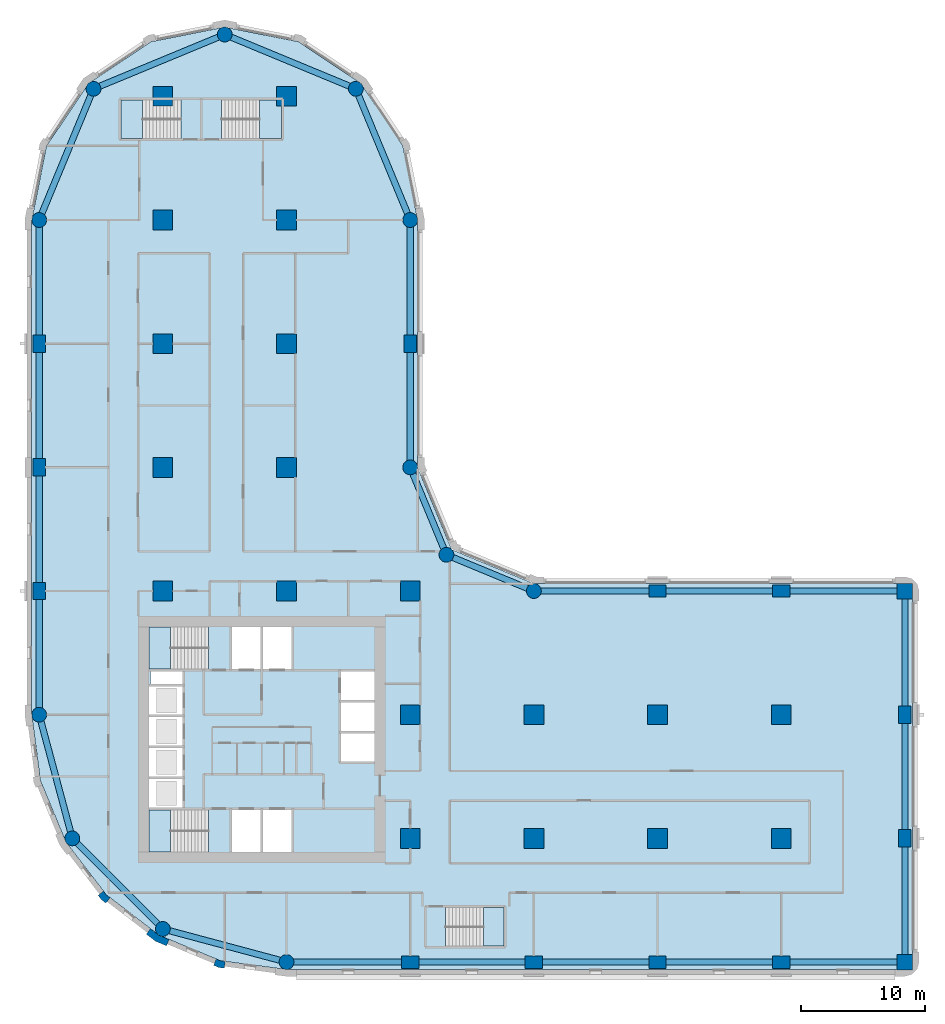
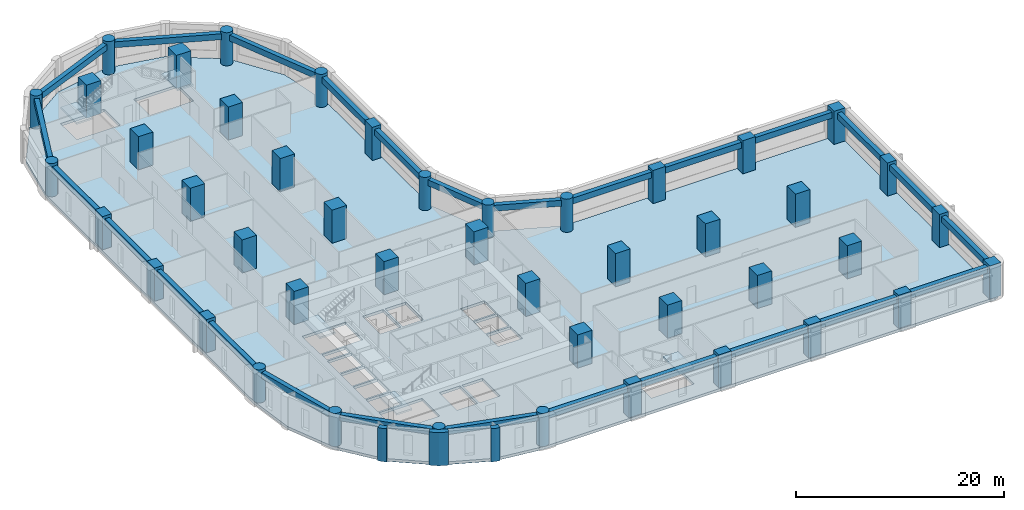
# One storey, part 1 of 10: 45 columns, 26 beams, 6 slabs, 3 walls, 5 elements without a shape of their own.
"""IFC4 building model written with IfcOpenShell, lengths in metres."""

from ifc_helpers import new_model, si_unit, direction, frame, origin, origin_2d, place, context, subcontext, project, spatial, polyline, rectangle, circle, outline, extrude, material, layer, layer_set, material_profile, profile_set, type_object, element, aggregate, save


model = new_model("IFC4")

# Units and contexts
model_context = context("Model", 3, precision=1e-05, world=origin(), true_north=direction((0.0, 1.0)))
body_context = subcontext(model_context, "Body", "Model", "MODEL_VIEW")
ifc_project = project(units=[si_unit("LENGTHUNIT", "METRE"), si_unit("AREAUNIT", "SQUARE_METRE"), si_unit("VOLUMEUNIT", "CUBIC_METRE"), si_unit("PLANEANGLEUNIT", "RADIAN"), si_unit("MASSUNIT", "GRAM", prefix="KILO")], contexts=[model_context])

# Site, building, storey
site_placement = place(None, origin())
site = spatial("IfcSite", under=ifc_project, at=site_placement, CompositionType="ELEMENT")
building_placement = place(site_placement, origin())
building = spatial("IfcBuilding", under=site, at=building_placement, Name="Qaws Garden Tower", CompositionType="ELEMENT")
storey_placement = place(building_placement, frame((0.0, 0.0, 93.89990234375)))
storey = spatial("IfcBuildingStorey", under=building, at=storey_placement, Name="L23", CompositionType="ELEMENT", Elevation=93.89990234375)

# Columns
ifc_material_1 = material(Name="Concrete C80", Category="concrete")
ifc_material_profile_1 = material_profile(ifc_material_1, rectangle(XDim=1.25, YDim=1.25, at=origin_2d()), Name="RC 1250x1250")
ifc_profile_set_1 = profile_set([ifc_material_profile_1], Name="Concrete C80")
column_type_1 = type_object("IfcColumnType", Name="Column RC 1250x1250 C80", PredefinedType="COLUMN", material=ifc_profile_set_1)
for number, where, z_axis, x_axis, name in (
    (1, (70.0, 0.0, 0.0), (0.0, 0.0, 1.0), (1.0, 0.0, 0.0), "Column L23-006"),
    (2, (70.0, 30.0, 0.0), (0.0, 0.0, 1.0), (1.0, 0.0, 0.0), "Column L23-009"),
):
    element("IfcColumn", number, at=place(storey_placement, frame(where, z_axis=z_axis, x_axis=x_axis)), inside=storey, type_object=column_type_1, Name=name, PredefinedType="COLUMN", context=body_context, shape_type="SweptSolid", body=[
        extrude(rectangle(XDim=1.25, YDim=1.25, at=origin_2d()), origin(), (0.0, 0.0, 1.0), 3.900146484375),
    ])
ifc_material_2 = material(Name="Concrete C80", Category="concrete")
ifc_material_profile_2 = material_profile(ifc_material_2, rectangle(XDim=1.39990234375, YDim=1.0, at=origin_2d()), Name="RC 1400x1000")
ifc_profile_set_2 = profile_set([ifc_material_profile_2], Name="Concrete C80")
column_type_2 = type_object("IfcColumnType", Name="Column RC 1400x1000 C80", PredefinedType="COLUMN", material=ifc_profile_set_2)
for number, where, z_axis, x_axis, name in (
    (3, (30.0, 0.0, 0.0), (0.0, 0.0, 1.0), (1.0, 0.0, 0.0), "Column L23-002"),
    (4, (40.0, 0.0, 0.0), (0.0, 0.0, 1.0), (1.0, 0.0, 0.0), "Column L23-003"),
    (5, (50.0, 0.0, 0.0), (0.0, 0.0, 1.0), (1.0, 0.0, 0.0), "Column L23-004"),
    (6, (60.0, 0.0, 0.0), (0.0, 0.0, 1.0), (1.0, 0.0, 0.0), "Column L23-005"),
    (7, (70.0, 10.0, 0.0), (0.0, 0.0, 1.0), (0.0, 1.0, 0.0), "Column L23-007"),
    (8, (70.0, 20.0, 0.0), (0.0, 0.0, 1.0), (0.0, 1.0, 0.0), "Column L23-008"),
    (9, (60.0, 30.0, 0.0), (0.0, 0.0, 1.0), (1.0, 0.0, 0.0), "Column L23-010"),
    (10, (50.0, 30.0, 0.0), (0.0, 0.0, 1.0), (1.0, 0.0, 0.0), "Column L23-011"),
    (11, (30.0, 50.0, 0.0), (0.0, 0.0, 1.0), (0.0, 1.0, 0.0), "Column L23-015"),
    (12, (0.0, 50.0, 0.0), (0.0, 0.0, 1.0), (0.0, 1.0, 0.0), "Column L23-021"),
    (13, (0.0, 40.0, 0.0), (0.0, 0.0, 1.0), (0.0, 1.0, 0.0), "Column L23-022"),
    (14, (0.0, 30.0, 0.0), (0.0, 0.0, 1.0), (0.0, 1.0, 0.0), "Column L23-023"),
):
    element("IfcColumn", number, at=place(storey_placement, frame(where, z_axis=z_axis, x_axis=x_axis)), inside=storey, type_object=column_type_2, Name=name, PredefinedType="COLUMN", context=body_context, shape_type="SweptSolid", body=[
        extrude(rectangle(XDim=1.39990234375, YDim=1.0, at=origin_2d()), origin(), (0.0, 0.0, 1.0), 3.900146484375),
    ])
ifc_material_3 = material(Name="Concrete C80", Category="concrete")
ifc_material_profile_3 = material_profile(ifc_material_3, rectangle(XDim=1.60009765625, YDim=1.60009765625, at=origin_2d()), Name="RC 1600x1600")
ifc_profile_set_3 = profile_set([ifc_material_profile_3], Name="Concrete C80")
column_type_3 = type_object("IfcColumnType", Name="Column RC 1600x1600 C80", PredefinedType="COLUMN", material=ifc_profile_set_3)
for number, where, z_axis, x_axis, name in (
    (15, (10.0, 30.0, 0.0), (0.0, 0.0, 1.0), (1.0, 0.0, 0.0), "Column L23-027"),
    (16, (10.0, 40.0, 0.0), (0.0, 0.0, 1.0), (1.0, 0.0, 0.0), "Column L23-028"),
    (17, (10.0, 50.0, 0.0), (0.0, 0.0, 1.0), (1.0, 0.0, 0.0), "Column L23-029"),
    (18, (10.0, 60.0, 0.0), (0.0, 0.0, 1.0), (1.0, 0.0, 0.0), "Column L23-030"),
    (19, (10.0, 70.0, 0.0), (0.0, 0.0, 1.0), (1.0, 0.0, 0.0), "Column L23-031"),
    (20, (20.0, 30.0, 0.0), (0.0, 0.0, 1.0), (1.0, 0.0, 0.0), "Column L23-032"),
    (21, (20.0, 40.0, 0.0), (0.0, 0.0, 1.0), (1.0, 0.0, 0.0), "Column L23-033"),
    (22, (20.0, 50.0, 0.0), (0.0, 0.0, 1.0), (1.0, 0.0, 0.0), "Column L23-034"),
    (23, (20.0, 60.0, 0.0), (0.0, 0.0, 1.0), (1.0, 0.0, 0.0), "Column L23-035"),
    (24, (20.0, 70.0, 0.0), (0.0, 0.0, 1.0), (1.0, 0.0, 0.0), "Column L23-036"),
    (25, (30.0, 10.0, 0.0), (0.0, 0.0, 1.0), (1.0, 0.0, 0.0), "Column L23-037"),
    (26, (30.0, 20.0, 0.0), (0.0, 0.0, 1.0), (1.0, 0.0, 0.0), "Column L23-038"),
    (27, (30.0, 30.0, 0.0), (0.0, 0.0, 1.0), (1.0, 0.0, 0.0), "Column L23-039"),
    (28, (40.0, 10.0, 0.0), (0.0, 0.0, 1.0), (1.0, 0.0, 0.0), "Column L23-040"),
    (29, (40.0, 20.0, 0.0), (0.0, 0.0, 1.0), (1.0, 0.0, 0.0), "Column L23-041"),
    (30, (50.0, 10.0, 0.0), (0.0, 0.0, 1.0), (1.0, 0.0, 0.0), "Column L23-042"),
    (31, (50.0, 20.0, 0.0), (0.0, 0.0, 1.0), (1.0, 0.0, 0.0), "Column L23-043"),
    (32, (60.0, 10.0, 0.0), (0.0, 0.0, 1.0), (1.0, 0.0, 0.0), "Column L23-044"),
    (33, (60.0, 20.0, 0.0), (0.0, 0.0, 1.0), (1.0, 0.0, 0.0), "Column L23-045"),
):
    element("IfcColumn", number, at=place(storey_placement, frame(where, z_axis=z_axis, x_axis=x_axis)), inside=storey, type_object=column_type_3, Name=name, PredefinedType="COLUMN", context=body_context, shape_type="SweptSolid", body=[
        extrude(rectangle(XDim=1.60009765625, YDim=1.60009765625, at=origin_2d()), origin(), (0.0, 0.0, 1.0), 3.900146484375),
    ])
ifc_material_4 = material(Name="Concrete C80", Category="concrete")
ifc_material_profile_4 = material_profile(ifc_material_4, circle(Radius=0.60009765625, at=origin_2d()), Name="RC D1200")
ifc_profile_set_4 = profile_set([ifc_material_profile_4], Name="Concrete C80")
column_type_4 = type_object("IfcColumnType", Name="Column RC D1200 C80", PredefinedType="COLUMN", material=ifc_profile_set_4)
for number, where, z_axis, x_axis, name in (
    (34, (20.0, 0.0, 0.0), (0.0, 0.0, 1.0), (1.0, 0.0, 0.0), "Column L23-001"),
    (35, (40.0, 30.0, 0.0), (0.0, 0.0, 1.0), (1.0, 0.0, 0.0), "Column L23-012"),
    (36, (32.928955078125, 32.928955078125, 0.0), (0.0, 0.0, 1.0), (1.0, 0.0, 0.0), "Column L23-013"),
    (37, (30.0, 40.0, 0.0), (0.0, 0.0, 1.0), (1.0, 0.0, 0.0), "Column L23-014"),
    (38, (30.0, 60.0, 0.0), (0.0, 0.0, 1.0), (1.0, 0.0, 0.0), "Column L23-016"),
    (39, (25.606689453125, 70.606689453125, 0.0), (0.0, 0.0, 1.0), (1.0, 0.0, 0.0), "Column L23-017"),
    (40, (15.0, 75.0, 0.0), (0.0, 0.0, 1.0), (1.0, 0.0, 0.0), "Column L23-018"),
    (41, (4.393310546875, 70.606689453125, 0.0), (0.0, 0.0, 1.0), (1.0, 0.0, 0.0), "Column L23-019"),
    (42, (0.0, 60.0, 0.0), (0.0, 0.0, 1.0), (1.0, 0.0, 0.0), "Column L23-020"),
    (43, (0.0, 20.0, 0.0), (0.0, 0.0, 1.0), (1.0, 0.0, 0.0), "Column L23-024"),
    (44, (2.679443359375, 10.0, 0.0), (0.0, 0.0, 1.0), (1.0, 0.0, 0.0), "Column L23-025"),
    (45, (10.0, 2.679443359375, 0.0), (0.0, 0.0, 1.0), (1.0, 0.0, 0.0), "Column L23-026"),
):
    element("IfcColumn", number, at=place(storey_placement, frame(where, z_axis=z_axis, x_axis=x_axis)), inside=storey, type_object=column_type_4, Name=name, PredefinedType="COLUMN", context=body_context, shape_type="SweptSolid", body=[
        extrude(circle(Radius=0.60009765625, at=origin_2d()), origin(), (0.0, 0.0, 1.0), 3.900146484375),
    ])

# Beams
ifc_material_5 = material(Name="Concrete C45", Category="concrete")
ifc_material_profile_5 = material_profile(ifc_material_5, rectangle(XDim=0.5, YDim=0.699951171875, at=origin_2d()), Name="RC 500x700")
ifc_profile_set_5 = profile_set([ifc_material_profile_5], Name="Concrete C45")
beam_type = type_object("IfcBeamType", Name="Spandrel beam RC 500x700 C45", PredefinedType="SPANDREL", material=ifc_profile_set_5)
for number, where, z_axis, x_axis, name in (
    (46, (20.0, 0.0, 3.22998046875), (1.0, 0.0, 0.0), (0.0, 1.0, 0.0), "Spandrel beam L23-001"),
    (47, (30.0, 0.0, 3.22998046875), (1.0, 0.0, 0.0), (0.0, 1.0, 0.0), "Spandrel beam L23-002"),
    (48, (40.0, 0.0, 3.22998046875), (1.0, 0.0, 0.0), (0.0, 1.0, 0.0), "Spandrel beam L23-003"),
    (49, (50.0, 0.0, 3.22998046875), (1.0, 0.0, 0.0), (0.0, 1.0, 0.0), "Spandrel beam L23-004"),
    (50, (60.0, 0.0, 3.22998046875), (1.0, 0.0, 0.0), (0.0, 1.0, 0.0), "Spandrel beam L23-005"),
    (51, (70.0, 0.0, 3.22998046875), (0.0, 1.0, 0.0), (-1.0, 0.0, 0.0), "Spandrel beam L23-006"),
    (52, (70.0, 10.0, 3.22998046875), (0.0, 1.0, 0.0), (-1.0, 0.0, 0.0), "Spandrel beam L23-007"),
    (53, (70.0, 20.0, 3.22998046875), (0.0, 1.0, 0.0), (-1.0, 0.0, 0.0), "Spandrel beam L23-008"),
    (54, (70.0, 30.0, 3.22998046875), (-1.0, 0.0, 0.0), (0.0, -1.0, 0.0), "Spandrel beam L23-009"),
    (55, (60.0, 30.0, 3.22998046875), (-1.0, 0.0, 0.0), (0.0, -1.0, 0.0), "Spandrel beam L23-010"),
    (56, (50.0, 30.0, 3.22998046875), (-1.0, 0.0, 0.0), (0.0, -1.0, 0.0), "Spandrel beam L23-011"),
):
    element("IfcBeam", number, at=place(storey_placement, frame(where, z_axis=z_axis, x_axis=x_axis)), inside=storey, type_object=beam_type, Name=name, PredefinedType="SPANDREL", context=body_context, shape_type="SweptSolid", body=[
        extrude(rectangle(XDim=0.5, YDim=0.699951171875, at=origin_2d()), origin(), (0.0, 0.0, 1.0), 10.0),
    ])
for number, where, z_axis, x_axis, name in (
    (57, (40.0, 30.0, 3.22998046875), (-0.923878037141, 0.382687042488, 0.0), (-0.382687042488, -0.923878037141, 0.0), "Spandrel beam L23-012"),
    (58, (32.928955078125, 32.928955078125, 3.22998046875), (-0.382687042488, 0.923878037141, 0.0), (-0.923878037141, -0.382687042488, 0.0), "Spandrel beam L23-013"),
):
    element("IfcBeam", number, at=place(storey_placement, frame(where, z_axis=z_axis, x_axis=x_axis)), inside=storey, type_object=beam_type, Name=name, PredefinedType="SPANDREL", context=body_context, shape_type="SweptSolid", body=[
        extrude(rectangle(XDim=0.5, YDim=0.699951171875, at=origin_2d()), origin(), (0.0, 0.0, 1.0), 7.653564453125),
    ])
for number, where, z_axis, x_axis, name in (
    (59, (30.0, 40.0, 3.22998046875), (0.0, 1.0, 0.0), (-1.0, 0.0, 0.0), "Spandrel beam L23-014"),
    (60, (30.0, 50.0, 3.22998046875), (0.0, 1.0, 0.0), (-1.0, 0.0, 0.0), "Spandrel beam L23-015"),
):
    element("IfcBeam", number, at=place(storey_placement, frame(where, z_axis=z_axis, x_axis=x_axis)), inside=storey, type_object=beam_type, Name=name, PredefinedType="SPANDREL", context=body_context, shape_type="SweptSolid", body=[
        extrude(rectangle(XDim=0.5, YDim=0.699951171875, at=origin_2d()), origin(), (0.0, 0.0, 1.0), 10.0),
    ])
for number, where, z_axis, x_axis, name in (
    (61, (30.0, 60.0, 3.22998046875), (-0.382674207535, 0.923883353507, 0.0), (-0.923883353507, -0.382674207535, 0.0), "Spandrel beam L23-016"),
    (62, (25.606689453125, 70.606689453125, 3.22998046875), (-0.923883353507, 0.382674207535, 0.0), (-0.382674207535, -0.923883353507, 0.0), "Spandrel beam L23-017"),
    (63, (15.0, 75.0, 3.22998046875), (-0.923883353507, -0.382674207535, 0.0), (0.382674207535, -0.923883353507, 0.0), "Spandrel beam L23-018"),
    (64, (4.393310546875, 70.606689453125, 3.22998046875), (-0.382674207535, -0.923883353507, 0.0), (0.923883353507, -0.382674207535, 0.0), "Spandrel beam L23-019"),
):
    element("IfcBeam", number, at=place(storey_placement, frame(where, z_axis=z_axis, x_axis=x_axis)), inside=storey, type_object=beam_type, Name=name, PredefinedType="SPANDREL", context=body_context, shape_type="SweptSolid", body=[
        extrude(rectangle(XDim=0.5, YDim=0.699951171875, at=origin_2d()), origin(), (0.0, 0.0, 1.0), 11.48046875),
    ])
for number, where, z_axis, x_axis, name in (
    (65, (0.0, 60.0, 3.22998046875), (0.0, -1.0, 0.0), (1.0, 0.0, 0.0), "Spandrel beam L23-020"),
    (66, (0.0, 50.0, 3.22998046875), (0.0, -1.0, 0.0), (1.0, 0.0, 0.0), "Spandrel beam L23-021"),
    (67, (0.0, 40.0, 3.22998046875), (0.0, -1.0, 0.0), (1.0, 0.0, 0.0), "Spandrel beam L23-022"),
    (68, (0.0, 30.0, 3.22998046875), (0.0, -1.0, 0.0), (1.0, 0.0, 0.0), "Spandrel beam L23-023"),
):
    element("IfcBeam", number, at=place(storey_placement, frame(where, z_axis=z_axis, x_axis=x_axis)), inside=storey, type_object=beam_type, Name=name, PredefinedType="SPANDREL", context=body_context, shape_type="SweptSolid", body=[
        extrude(rectangle(XDim=0.5, YDim=0.699951171875, at=origin_2d()), origin(), (0.0, 0.0, 1.0), 10.0),
    ])
for number, where, z_axis, x_axis, name in (
    (69, (0.0, 20.0, 3.22998046875), (0.25881466832, -0.965926999034, 0.0), (0.965926999034, 0.25881466832, 0.0), "Spandrel beam L23-024"),
    (70, (2.679443359375, 10.0, 3.22998046875), (0.707106781187, -0.707106781187, 0.0), (0.707106781187, 0.707106781187, 0.0), "Spandrel beam L23-025"),
    (71, (10.0, 2.679443359375, 3.22998046875), (0.965926999034, -0.25881466832, 0.0), (0.25881466832, 0.965926999034, 0.0), "Spandrel beam L23-026"),
):
    element("IfcBeam", number, at=place(storey_placement, frame(where, z_axis=z_axis, x_axis=x_axis)), inside=storey, type_object=beam_type, Name=name, PredefinedType="SPANDREL", context=body_context, shape_type="SweptSolid", body=[
        extrude(rectangle(XDim=0.5, YDim=0.699951171875, at=origin_2d()), origin(), (0.0, 0.0, 1.0), 10.352783203125),
    ])

# Slab
ifc_material_6 = material(Name="Concrete C40", Category="concrete")
ifc_layer_1 = layer(ifc_material_6, 0.320068359375)
ifc_layer_set_1 = layer_set([ifc_layer_1], Name="Concrete C40")
slab_type_1 = type_object("IfcSlabType", Name="Floor slab 320 C40", PredefinedType="FLOOR", material=ifc_layer_set_1)
slab_1_placement = place(storey_placement, frame((0.0, 0.0, -0.31982421875)))
element("IfcSlab", 72, at=slab_1_placement, inside=storey, type_object=slab_type_1, Name="Floor slab L23", PredefinedType="FLOOR", context=body_context, shape_type="SweptSolid", body=[
    extrude(outline(polyline([(0.101806640625, 14.668212890625), (-0.60009765625, 20.0), (-0.60009765625, 30.60009765625), (-0.60009765625, 60.0), (-0.60009765625, 60.0), (0.58740234375, 65.969970703125), (3.968994140625, 71.031005859375), (9.030029296875, 74.41259765625), (15.0, 75.60009765625), (20.969970703125, 74.41259765625), (26.031005859375, 71.031005859375), (29.41259765625, 65.969970703125), (30.60009765625, 60.0), (30.60009765625, 40.0), (33.353271484375, 33.353271484375), (40.0, 30.60009765625), (70.0, 30.60009765625), (70.42431640625, 30.42431640625), (70.60009765625, 30.0), (70.60009765625, 0.0), (70.42431640625, -0.42431640625), (70.0, -0.60009765625), (30.60009765625, -0.60009765625), (20.0, -0.60009765625), (14.668212890625, 0.101806640625), (9.699951171875, 2.159912109375), (5.43359375, 5.43359375), (2.159912109375, 9.699951171875), (0.101806640625, 14.668212890625)]), holes=[polyline([(13.699462890625, 12.300048828125), (8.89990234375, 12.300048828125), (8.89990234375, 8.89990234375), (13.699462890625, 8.89990234375), (13.699462890625, 12.300048828125)]), polyline([(17.89990234375, 12.300048828125), (15.60009765625, 12.300048828125), (15.60009765625, 8.89990234375), (17.89990234375, 8.89990234375), (17.89990234375, 12.300048828125)]), polyline([(11.60009765625, 14.800048828125), (8.89990234375, 14.800048828125), (8.89990234375, 12.5), (11.60009765625, 12.5), (11.60009765625, 14.800048828125)]), polyline([(11.60009765625, 17.300048828125), (8.89990234375, 17.300048828125), (8.89990234375, 15.0), (11.60009765625, 15.0), (11.60009765625, 17.300048828125)]), polyline([(11.60009765625, 19.800048828125), (8.89990234375, 19.800048828125), (8.89990234375, 17.5), (11.60009765625, 17.5), (11.60009765625, 19.800048828125)]), polyline([(11.60009765625, 22.300048828125), (8.89990234375, 22.300048828125), (8.89990234375, 20.0), (11.60009765625, 20.0), (11.60009765625, 22.300048828125)]), polyline([(11.60009765625, 23.5), (9.0, 23.5), (9.0, 22.5), (11.60009765625, 22.5), (11.60009765625, 23.5)]), polyline([(13.699462890625, 27.10009765625), (8.89990234375, 27.10009765625), (8.89990234375, 23.699951171875), (13.699462890625, 23.699951171875), (13.699462890625, 27.10009765625)]), polyline([(11.449462890625, 69.699951171875), (6.60009765625, 69.699951171875), (6.60009765625, 66.60009765625), (11.449462890625, 66.60009765625), (11.449462890625, 69.699951171875)]), polyline([(37.60009765625, 4.39990234375), (32.8505859375, 4.39990234375), (32.8505859375, 1.300048828125), (37.60009765625, 1.300048828125), (37.60009765625, 4.39990234375)]), polyline([(20.39990234375, 12.300048828125), (18.10009765625, 12.300048828125), (18.10009765625, 8.89990234375), (20.39990234375, 8.89990234375), (20.39990234375, 12.300048828125)]), polyline([(27.10009765625, 18.5), (24.39990234375, 18.5), (24.39990234375, 16.199951171875), (27.10009765625, 16.199951171875), (27.10009765625, 18.5)]), polyline([(27.10009765625, 21.0), (24.39990234375, 21.0), (24.39990234375, 18.699951171875), (27.10009765625, 18.699951171875), (27.10009765625, 21.0)]), polyline([(27.10009765625, 23.5), (24.39990234375, 23.5), (24.39990234375, 21.199951171875), (27.10009765625, 21.199951171875), (27.10009765625, 23.5)]), polyline([(17.89990234375, 27.10009765625), (15.60009765625, 27.10009765625), (15.60009765625, 23.699951171875), (17.89990234375, 23.699951171875), (17.89990234375, 27.10009765625)]), polyline([(20.39990234375, 23.699951171875), (20.39990234375, 27.10009765625), (18.10009765625, 27.10009765625), (18.10009765625, 23.699951171875), (20.39990234375, 23.699951171875)]), polyline([(19.60009765625, 66.60009765625), (19.60009765625, 69.699951171875), (14.75048828125, 69.699951171875), (14.75048828125, 66.60009765625), (19.60009765625, 66.60009765625)])]), origin(), (0.0, 0.0, 1.0), 0.31982421875),
])

# Stair, slab
ifc_material_7 = material(Name="Concrete C40", Category="concrete")
stair_type_1 = type_object("IfcStairType", Name="Exit stair 1500", PredefinedType="HALF_TURN_STAIR", material=ifc_material_7)
placement_1 = place(storey_placement, origin())
stair_1 = element("IfcStair", 73, at=placement_1, inside=storey, type_object=stair_type_1, Name="Stair 1", PredefinedType="HALF_TURN_STAIR")
ifc_material_8 = material(Name="Concrete C40", Category="concrete")
ifc_layer_2 = layer(ifc_material_8, 0.199951171875)
ifc_layer_set_2 = layer_set([ifc_layer_2], Name="Concrete C40")
slab_type_2 = type_object("IfcSlabType", Name="Stair landing 200", PredefinedType="LANDING", material=ifc_layer_set_2)
placement_2 = place(storey_placement, frame((0.0, 0.0, 1.75)))
slab_2 = element("IfcSlab", 74, at=placement_2, type_object=slab_type_2, Name="ST1 landing 1", PredefinedType="LANDING", context=body_context, shape_type="SweptSolid", body=[
    extrude(outline(polyline([(8.89990234375, 8.89990234375), (10.6201171875, 8.89990234375), (10.6201171875, 12.300048828125), (8.89990234375, 12.300048828125), (8.89990234375, 8.89990234375)])), origin(), (0.0, 0.0, 1.0), 0.2001953125),
])
aggregate(stair_1, [slab_2])

stair_2 = element("IfcStair", 75, at=placement_1, inside=storey, type_object=stair_type_1, Name="Stair 4", PredefinedType="HALF_TURN_STAIR")
slab_3 = element("IfcSlab", 76, at=placement_2, type_object=slab_type_2, Name="ST4 landing 1", PredefinedType="LANDING", context=body_context, shape_type="SweptSolid", body=[
    extrude(outline(polyline([(8.89990234375, 23.699951171875), (10.6201171875, 23.699951171875), (10.6201171875, 27.10009765625), (8.89990234375, 27.10009765625), (8.89990234375, 23.699951171875)])), origin(), (0.0, 0.0, 1.0), 0.2001953125),
])
aggregate(stair_2, [slab_3])

ifc_material_9 = material(Name="Concrete C40", Category="concrete")
stair_type_2 = type_object("IfcStairType", Name="Exit stair 1350", PredefinedType="HALF_TURN_STAIR", material=ifc_material_9)
stair_3 = element("IfcStair", 77, at=placement_1, inside=storey, type_object=stair_type_2, Name="Stair 5", PredefinedType="HALF_TURN_STAIR")
slab_4 = element("IfcSlab", 78, at=placement_2, type_object=slab_type_2, Name="ST5 landing 1", PredefinedType="LANDING", context=body_context, shape_type="SweptSolid", body=[
    extrude(outline(polyline([(35.929931640625, 1.300048828125), (37.60009765625, 1.300048828125), (37.60009765625, 4.39990234375), (35.929931640625, 4.39990234375), (35.929931640625, 1.300048828125)])), origin(), (0.0, 0.0, 1.0), 0.2001953125),
])
aggregate(stair_3, [slab_4])

stair_4 = element("IfcStair", 79, at=placement_1, inside=storey, type_object=stair_type_2, Name="Stair 6", PredefinedType="HALF_TURN_STAIR")
slab_5 = element("IfcSlab", 80, at=placement_2, type_object=slab_type_2, Name="ST6 landing 1", PredefinedType="LANDING", context=body_context, shape_type="SweptSolid", body=[
    extrude(outline(polyline([(6.60009765625, 66.60009765625), (8.3701171875, 66.60009765625), (8.3701171875, 69.699951171875), (6.60009765625, 69.699951171875), (6.60009765625, 66.60009765625)])), origin(), (0.0, 0.0, 1.0), 0.2001953125),
])
aggregate(stair_4, [slab_5])

stair_5 = element("IfcStair", 81, at=placement_1, inside=storey, type_object=stair_type_2, Name="Stair 7", PredefinedType="HALF_TURN_STAIR")
slab_6 = element("IfcSlab", 82, at=placement_2, type_object=slab_type_2, Name="ST7 landing 1", PredefinedType="LANDING", context=body_context, shape_type="SweptSolid", body=[
    extrude(outline(polyline([(17.830078125, 66.60009765625), (19.60009765625, 66.60009765625), (19.60009765625, 69.699951171875), (17.830078125, 69.699951171875), (17.830078125, 66.60009765625)])), origin(), (0.0, 0.0, 1.0), 0.2001953125),
])
aggregate(stair_5, [slab_6])

# Walls
ifc_material_10 = material(Name="Clay facing brick masonry", Category="masonry")
ifc_layer_3 = layer(ifc_material_10, 0.550048828125)
ifc_layer_set_3 = layer_set([ifc_layer_3], Name="Clay facing brick masonry")
wall_type_1 = type_object("IfcWallType", Name="Brick kink pier 550 x 600", PredefinedType="SOLIDWALL", material=ifc_layer_set_3)
element("IfcWall", 83, at=placement_1, inside=storey, type_object=wall_type_1, Name="E-L23-pier-30", PredefinedType="SOLIDWALL", context=body_context, shape_type="SweptSolid", body=[
    extrude(outline(polyline([(4.8818359375, 5.487060546875), (4.762939453125, 5.395751953125), (5.03759765625, 5.03759765625), (5.395751953125, 4.762939453125), (5.487060546875, 4.8818359375), (5.730712890625, 5.19921875), (5.429931640625, 5.429931640625), (5.19921875, 5.730712890625), (4.8818359375, 5.487060546875)])), origin(), (0.0, 0.0, 1.0), 3.900146484375),
])
element("IfcWall", 84, at=placement_1, inside=storey, type_object=wall_type_1, Name="E-L23-pier-32", PredefinedType="SOLIDWALL", context=body_context, shape_type="SweptSolid", body=[
    extrude(outline(polyline([(14.163818359375, -0.127685546875), (14.1064453125, -0.26611328125), (14.5234375, -0.43896484375), (14.970947265625, -0.497802734375), (14.990478515625, -0.34912109375), (15.042724609375, 0.04736328125), (14.6669921875, 0.096923828125), (14.31689453125, 0.241943359375), (14.163818359375, -0.127685546875)])), origin(), (0.0, 0.0, 1.0), 3.900146484375),
])
ifc_material_11 = material(Name="Clay facing brick masonry", Category="masonry")
ifc_layer_4 = layer(ifc_material_11, 0.550048828125)
ifc_layer_set_4 = layer_set([ifc_layer_4], Name="Clay facing brick masonry")
wall_type_2 = type_object("IfcWallType", Name="Brick pier 550 x 1600", PredefinedType="SOLIDWALL", material=ifc_layer_set_4)
element("IfcWall", 85, at=placement_1, inside=storey, type_object=wall_type_2, Name="E-L23-pier-31", PredefinedType="SOLIDWALL", context=body_context, shape_type="SweptSolid", body=[
    extrude(outline(polyline([(8.756591796875, 2.373046875), (8.665283203125, 2.254150390625), (9.419921875, 1.675048828125), (10.299072265625, 1.310791015625), (10.3564453125, 1.449462890625), (10.509521484375, 1.819091796875), (9.697509765625, 2.1552734375), (9.0, 2.6904296875), (8.756591796875, 2.373046875)])), origin(), (0.0, 0.0, 1.0), 3.900146484375),
])

save(model, "model.ifc")
